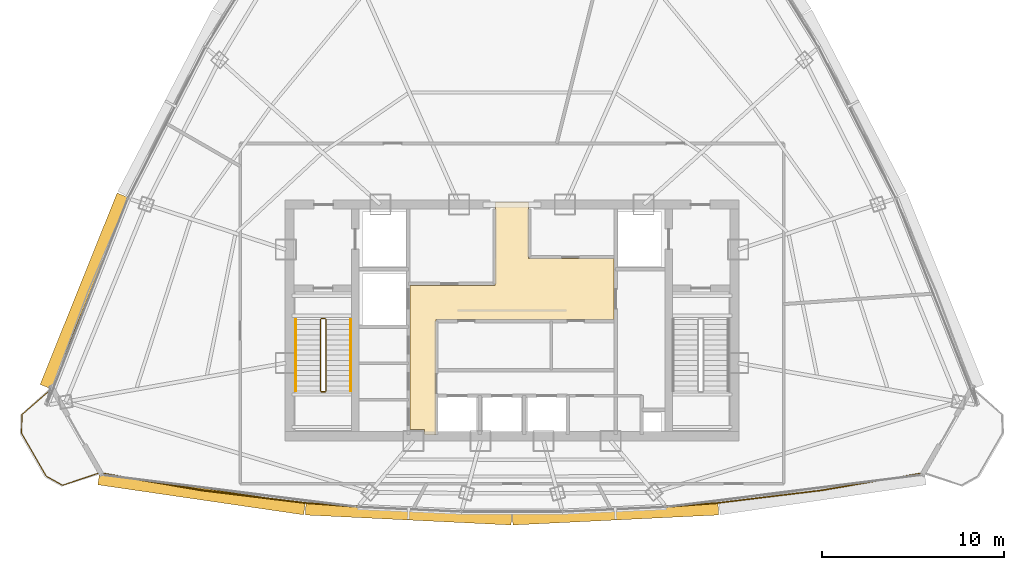
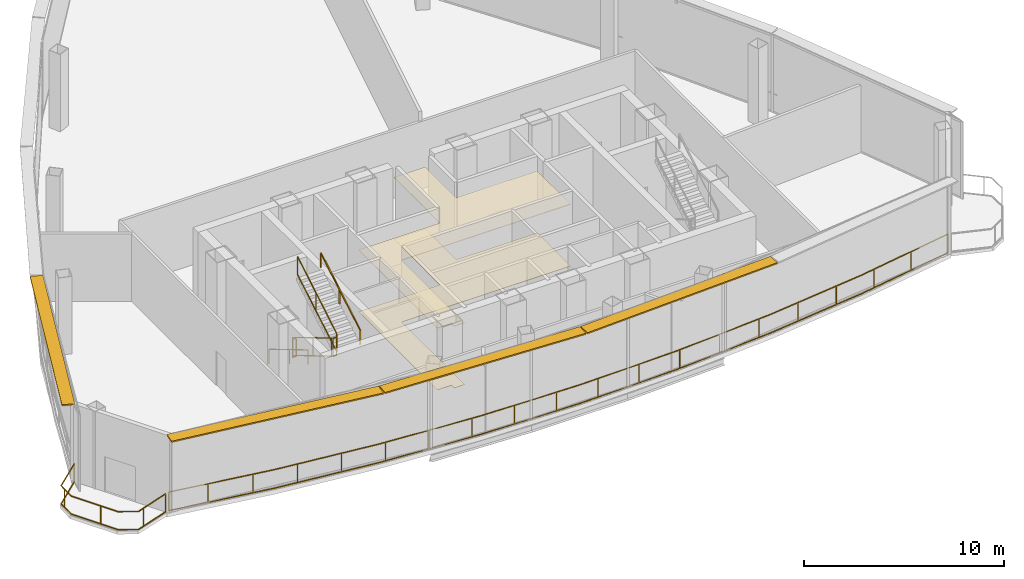
# One storey, part 26 of 29: 8 railings, 4 shading devices, 2 coverings.
"""IFC4 building model written with IfcOpenShell, lengths in metres."""

from ifc_helpers import new_model, si_unit, direction, frame, origin, origin_2d, place, context, subcontext, project, spatial, polyline, rectangle, outline, extrude, source, transform, mapped, material, layer, layer_set, type_object, element, save


model = new_model("IFC4")

# Units and contexts
model_context = context("Model", 3, precision=1e-05, world=origin(), true_north=direction((0.0, 1.0)))
body_context = subcontext(model_context, "Body", "Model", "MODEL_VIEW")
ifc_project = project(units=[si_unit("LENGTHUNIT", "METRE"), si_unit("AREAUNIT", "SQUARE_METRE"), si_unit("VOLUMEUNIT", "CUBIC_METRE"), si_unit("PLANEANGLEUNIT", "RADIAN"), si_unit("MASSUNIT", "GRAM", prefix="KILO"), si_unit("THERMODYNAMICTEMPERATUREUNIT", "KELVIN"), si_unit("POWERUNIT", "WATT")], contexts=[model_context])

# Site, building, storey
site_placement = place(None, origin())
site = spatial("IfcSite", under=ifc_project, at=site_placement, CompositionType="ELEMENT")
building_placement = place(site_placement, origin())
building = spatial("IfcBuilding", under=site, at=building_placement, Name="Yunzhuo Pagoda Commons", CompositionType="ELEMENT")
storey_placement = place(building_placement, frame((0.0, 0.0, 366.760009765625)))
storey = spatial("IfcBuildingStorey", under=building, at=storey_placement, Name="L92", CompositionType="ELEMENT", Elevation=366.760009765625)

# Coverings
ifc_material_1 = material(Name="Micro-perforated metal baffle ceiling")
ifc_layer_1 = layer(ifc_material_1, 0.034912109375)
ifc_layer_set_1 = layer_set([ifc_layer_1], Name="Micro-perforated metal baffle ceiling")
covering_type_1 = type_object("IfcCoveringType", Name="COV-CL3 Ceiling 35", PredefinedType="CEILING", material=ifc_layer_set_1)
covering_1_placement = place(storey_placement, frame((0.0, 0.0, 3.77001953125)))
element("IfcCovering", 1, at=covering_1_placement, inside=storey, type_object=covering_type_1, Name="L92 lift lobby acoustic ceiling", PredefinedType="CEILING", context=body_context, shape_type="SweptSolid", body=[
    extrude(outline(polyline([(42.39990234375, 35.75), (47.080078125, 35.75), (47.080078125, 37.25), (47.10009765625, 37.25), (47.10009765625, 40.35009765625), (48.89990234375, 40.35009765625), (48.89990234375, 37.25), (53.580078125, 37.25), (53.580078125, 33.89990234375), (43.820068359375, 33.89990234375), (43.820068359375, 27.60009765625), (43.207763671875, 27.60009765625), (43.207763671875, 27.85009765625), (43.201904296875, 27.864013671875), (43.187744140625, 27.8701171875), (42.39990234375, 27.8701171875), (42.39990234375, 33.89990234375), (42.39990234375, 35.75)])), origin(), (0.0, 0.0, 1.0), 0.034912109375),
])
ifc_material_2 = material(Name="Terrazzo stone lobby flooring", Category="masonry")
ifc_layer_2 = layer(ifc_material_2, 0.02392578125)
ifc_layer_set_2 = layer_set([ifc_layer_2], Name="Terrazzo stone lobby flooring")
covering_type_2 = type_object("IfcCoveringType", Name="COV-FL2 Flooring 24", PredefinedType="FLOORING", material=ifc_layer_set_2)
covering_2_placement = place(storey_placement, origin())
element("IfcCovering", 2, at=covering_2_placement, inside=storey, type_object=covering_type_2, Name="L92 lift lobby flooring", PredefinedType="FLOORING", context=body_context, shape_type="SweptSolid", body=[
    extrude(outline(polyline([(42.39990234375, 35.75), (47.080078125, 35.75), (47.080078125, 37.25), (47.10009765625, 37.25), (47.10009765625, 40.35009765625), (48.89990234375, 40.35009765625), (48.89990234375, 37.25), (53.580078125, 37.25), (53.580078125, 33.89990234375), (43.820068359375, 33.89990234375), (43.820068359375, 27.60009765625), (43.207763671875, 27.60009765625), (43.207763671875, 27.85009765625), (43.201904296875, 27.864013671875), (43.187744140625, 27.8701171875), (42.39990234375, 27.8701171875), (42.39990234375, 33.89990234375), (42.39990234375, 35.75)])), origin(), (0.0, 0.0, 1.0), 0.02392578125),
])

# Railings
ifc_material_3 = material(Name="Anodized aluminium 6063-T6", Category="aluminium")
railing_type_1 = type_object("IfcRailingType", Name="GR-ST1 Stair Well Guardrail 1150", PredefinedType="GUARDRAIL", material=ifc_material_3)
railing_1_placement = place(storey_placement, frame((37.5, 33.89990234375, 0.166748046875)))
element("IfcRailing", 3, at=railing_1_placement, inside=storey, type_object=railing_type_1, Name="L92 ST1 stair guard 1", PredefinedType="GUARDRAIL", context=body_context, shape_type="SweptSolid", body=[
    extrude(rectangle(XDim=0.048095703125, YDim=0.048095703125, at=origin_2d()), frame((0.0, 0.0, 1.1259765625), z_axis=(0.0, -0.859296244711, 0.511478214419), x_axis=(1.0, 0.0, 0.0)), (0.0, 0.0, 1.0), 4.561767578125),
    extrude(rectangle(XDim=0.048095703125, YDim=0.048095703125, at=origin_2d()), frame((0.0, 0.0, 0.02392578125), z_axis=(0.0, -0.859296244711, 0.511478214419), x_axis=(1.0, 0.0, 0.0)), (0.0, 0.0, 1.0), 4.561767578125),
    extrude(rectangle(XDim=0.0419921875, YDim=0.0419921875, at=origin_2d()), origin(), (0.0, 0.0, 1.0), 1.101806640625),
    extrude(rectangle(XDim=0.0419921875, YDim=0.0419921875, at=origin_2d()), frame((0.0, -2.062255859375, 1.2275390625)), (0.0, 0.0, 1.0), 1.101806640625),
    extrude(rectangle(XDim=0.0419921875, YDim=0.0419921875, at=origin_2d()), frame((0.0, -3.919921875, 2.333251953125)), (0.0, 0.0, 1.0), 1.101806640625),
])
railing_2_placement = place(storey_placement, frame((37.550048828125, 29.929931640625, 2.5)))
element("IfcRailing", 4, at=railing_2_placement, inside=storey, type_object=railing_type_1, Name="L92 ST1 stair guard 2", PredefinedType="GUARDRAIL", context=body_context, shape_type="SweptSolid", body=[
    extrude(rectangle(XDim=0.048095703125, YDim=0.048095703125, at=origin_2d()), frame((0.0, 0.0, 1.1259765625), z_axis=(1.0, 0.0, 0.0), x_axis=(0.0, 1.0, 0.0)), (0.0, 0.0, 1.0), 0.199951171875),
    extrude(rectangle(XDim=0.048095703125, YDim=0.048095703125, at=origin_2d()), frame((0.0, 0.0, 0.02392578125), z_axis=(1.0, 0.0, 0.0), x_axis=(0.0, 1.0, 0.0)), (0.0, 0.0, 1.0), 0.199951171875),
    extrude(rectangle(XDim=0.0419921875, YDim=0.0419921875, at=origin_2d()), origin(), (0.0, 0.0, 1.0), 1.101806640625),
    extrude(rectangle(XDim=0.0419921875, YDim=0.0419921875, at=origin_2d()), frame((0.199951171875, 0.0, 0.0)), (0.0, 0.0, 1.0), 1.101806640625),
])
railing_3_placement = place(storey_placement, frame((37.800048828125, 29.97998046875, 2.666748046875)))
element("IfcRailing", 5, at=railing_3_placement, inside=storey, type_object=railing_type_1, Name="L92 ST1 stair guard 3", PredefinedType="GUARDRAIL", context=body_context, shape_type="SweptSolid", body=[
    extrude(rectangle(XDim=0.048095703125, YDim=0.048095703125, at=origin_2d()), frame((0.0, 0.0, 1.1259765625), z_axis=(0.0, 0.859296244711, 0.511478214419), x_axis=(-1.0, 0.0, 0.0)), (0.0, 0.0, 1.0), 4.561767578125),
    extrude(rectangle(XDim=0.048095703125, YDim=0.048095703125, at=origin_2d()), frame((0.0, 0.0, 0.02392578125), z_axis=(0.0, 0.859296244711, 0.511478214419), x_axis=(-1.0, 0.0, 0.0)), (0.0, 0.0, 1.0), 4.561767578125),
    extrude(rectangle(XDim=0.0419921875, YDim=0.0419921875, at=origin_2d()), origin(), (0.0, 0.0, 1.0), 1.101806640625),
    extrude(rectangle(XDim=0.0419921875, YDim=0.0419921875, at=origin_2d()), frame((0.0, 2.062255859375, 1.2275390625)), (0.0, 0.0, 1.0), 1.101806640625),
    extrude(rectangle(XDim=0.0419921875, YDim=0.0419921875, at=origin_2d()), frame((0.0, 3.919921875, 2.333251953125)), (0.0, 0.0, 1.0), 1.101806640625),
])
railing_4_placement = place(storey_placement, frame((37.550048828125, 33.949951171875, 0.0)))
element("IfcRailing", 6, at=railing_4_placement, inside=storey, type_object=railing_type_1, Name="L92 ST1 stair guard 4", PredefinedType="GUARDRAIL", context=body_context, shape_type="SweptSolid", body=[
    extrude(rectangle(XDim=0.048095703125, YDim=0.048095703125, at=origin_2d()), frame((0.0, 0.0, 1.1259765625), z_axis=(1.0, 0.0, 0.0), x_axis=(0.0, 1.0, 0.0)), (0.0, 0.0, 1.0), 0.199951171875),
    extrude(rectangle(XDim=0.048095703125, YDim=0.048095703125, at=origin_2d()), frame((0.0, 0.0, 0.02392578125), z_axis=(1.0, 0.0, 0.0), x_axis=(0.0, 1.0, 0.0)), (0.0, 0.0, 1.0), 0.199951171875),
    extrude(rectangle(XDim=0.0419921875, YDim=0.0419921875, at=origin_2d()), origin(), (0.0, 0.0, 1.0), 1.101806640625),
    extrude(rectangle(XDim=0.0419921875, YDim=0.0419921875, at=origin_2d()), frame((0.199951171875, 0.0, 0.0)), (0.0, 0.0, 1.0), 1.101806640625),
])
railing_type_2 = type_object("IfcRailingType", Name="HR-ST1 Stair Handrail 900", PredefinedType="HANDRAIL", material=ifc_material_3)
railing_5_placement = place(storey_placement, frame((36.14990234375, 33.89990234375, 0.166748046875)))
element("IfcRailing", 7, at=railing_5_placement, inside=storey, type_object=railing_type_2, Name="L92 ST1 stair handrail 1", PredefinedType="HANDRAIL", context=body_context, shape_type="SweptSolid", body=[
    extrude(rectangle(XDim=0.048095703125, YDim=0.048095703125, at=origin_2d()), frame((0.0, 0.0, 0.8759765625), z_axis=(0.0, -0.859296244711, 0.511478214419), x_axis=(1.0, 0.0, 0.0)), (0.0, 0.0, 1.0), 4.561767578125),
    extrude(rectangle(XDim=0.0419921875, YDim=0.0419921875, at=origin_2d()), origin(), (0.0, 0.0, 1.0), 0.851806640625),
    extrude(rectangle(XDim=0.0419921875, YDim=0.0419921875, at=origin_2d()), frame((0.0, -2.062255859375, 1.2275390625)), (0.0, 0.0, 1.0), 0.851806640625),
    extrude(rectangle(XDim=0.0419921875, YDim=0.0419921875, at=origin_2d()), frame((0.0, -3.919921875, 2.333251953125)), (0.0, 0.0, 1.0), 0.851806640625),
])
railing_6_placement = place(storey_placement, frame((39.14990234375, 29.97998046875, 2.666748046875)))
element("IfcRailing", 8, at=railing_6_placement, inside=storey, type_object=railing_type_2, Name="L92 ST1 stair handrail 2", PredefinedType="HANDRAIL", context=body_context, shape_type="SweptSolid", body=[
    extrude(rectangle(XDim=0.048095703125, YDim=0.048095703125, at=origin_2d()), frame((0.0, 0.0, 0.8759765625), z_axis=(0.0, 0.859296244711, 0.511478214419), x_axis=(-1.0, 0.0, 0.0)), (0.0, 0.0, 1.0), 4.561767578125),
    extrude(rectangle(XDim=0.0419921875, YDim=0.0419921875, at=origin_2d()), origin(), (0.0, 0.0, 1.0), 0.851806640625),
    extrude(rectangle(XDim=0.0419921875, YDim=0.0419921875, at=origin_2d()), frame((0.0, 2.062255859375, 1.2275390625)), (0.0, 0.0, 1.0), 0.851806640625),
    extrude(rectangle(XDim=0.0419921875, YDim=0.0419921875, at=origin_2d()), frame((0.0, 3.919921875, 2.333251953125)), (0.0, 0.0, 1.0), 0.851806640625),
])
railing_type_3 = type_object("IfcRailingType", Name="RL-BAL1 Exterior Terrace & Balcony Balustrade 1150", PredefinedType="BALUSTRADE", material=ifc_material_3)
railing_7_placement = place(storey_placement, frame((22.688720703125, 30.03955078125, 0.0)))
element("IfcRailing", 9, at=railing_7_placement, inside=storey, type_object=railing_type_3, Name="L92 corner balcony balustrade V1", PredefinedType="BALUSTRADE", context=body_context, shape_type="SweptSolid", body=[
    extrude(rectangle(XDim=0.048095703125, YDim=0.048095703125, at=origin_2d()), frame((0.0, 0.0, 1.1259765625), z_axis=(-0.753984993137, -0.656891642605, 0.0), x_axis=(0.656891642605, -0.753984993137, 0.0)), (0.0, 0.0, 1.0), 2.059326171875),
    extrude(rectangle(XDim=0.048095703125, YDim=0.048095703125, at=origin_2d()), frame((0.0, 0.0, 0.02392578125), z_axis=(-0.753984993137, -0.656891642605, 0.0), x_axis=(0.656891642605, -0.753984993137, 0.0)), (0.0, 0.0, 1.0), 2.059326171875),
    extrude(rectangle(XDim=0.048095703125, YDim=0.048095703125, at=origin_2d()), frame((-1.552734375, -1.352783203125, 1.1259765625), z_axis=(-0.021661582808, -0.999765360387, 0.0), x_axis=(0.999765360387, -0.021661582808, 0.0)), (0.0, 0.0, 1.0), 1.025634765625),
    extrude(rectangle(XDim=0.048095703125, YDim=0.048095703125, at=origin_2d()), frame((-1.552734375, -1.352783203125, 0.02392578125), z_axis=(-0.021661582808, -0.999765360387, 0.0), x_axis=(0.999765360387, -0.021661582808, 0.0)), (0.0, 0.0, 1.0), 1.025634765625),
    extrude(rectangle(XDim=0.048095703125, YDim=0.048095703125, at=origin_2d()), frame((-1.574951171875, -2.378173828125, 1.1259765625), z_axis=(0.49795765494, -0.867201345644, 0.0), x_axis=(0.867201345644, 0.49795765494, 0.0)), (0.0, 0.0, 1.0), 2.716064453125),
    extrude(rectangle(XDim=0.048095703125, YDim=0.048095703125, at=origin_2d()), frame((-1.574951171875, -2.378173828125, 0.02392578125), z_axis=(0.49795765494, -0.867201345644, 0.0), x_axis=(0.867201345644, 0.49795765494, 0.0)), (0.0, 0.0, 1.0), 2.716064453125),
    extrude(rectangle(XDim=0.048095703125, YDim=0.048095703125, at=origin_2d()), frame((-0.222412109375, -4.733642578125, 1.1259765625), z_axis=(0.874415431357, -0.485177960551, 0.0), x_axis=(0.485177960551, 0.874415431357, 0.0)), (0.0, 0.0, 1.0), 1.025634765625),
    extrude(rectangle(XDim=0.048095703125, YDim=0.048095703125, at=origin_2d()), frame((-0.222412109375, -4.733642578125, 0.02392578125), z_axis=(0.874415431357, -0.485177960551, 0.0), x_axis=(0.485177960551, 0.874415431357, 0.0)), (0.0, 0.0, 1.0), 1.025634765625),
    extrude(rectangle(XDim=0.048095703125, YDim=0.048095703125, at=origin_2d()), frame((0.67431640625, -5.231201171875, 1.1259765625), z_axis=(0.947419062147, 0.319995501031, 0.0), x_axis=(-0.319995501031, 0.947419062147, 0.0)), (0.0, 0.0, 1.0), 2.05908203125),
    extrude(rectangle(XDim=0.048095703125, YDim=0.048095703125, at=origin_2d()), frame((0.67431640625, -5.231201171875, 0.02392578125), z_axis=(0.947419062147, 0.319995501031, 0.0), x_axis=(-0.319995501031, 0.947419062147, 0.0)), (0.0, 0.0, 1.0), 2.05908203125),
    extrude(rectangle(XDim=0.0419921875, YDim=0.0419921875, at=origin_2d()), origin(), (0.0, 0.0, 1.0), 1.101806640625),
    extrude(rectangle(XDim=0.0419921875, YDim=0.0419921875, at=origin_2d()), frame((-1.56005859375, -1.693359375, 0.0)), (0.0, 0.0, 1.0), 1.101806640625),
    extrude(rectangle(XDim=0.0419921875, YDim=0.0419921875, at=origin_2d()), frame((-0.720947265625, -3.865478515625, 0.0)), (0.0, 0.0, 1.0), 1.101806640625),
    extrude(rectangle(XDim=0.0419921875, YDim=0.0419921875, at=origin_2d()), frame((1.028076171875, -5.11181640625, 0.0)), (0.0, 0.0, 1.0), 1.101806640625),
    extrude(rectangle(XDim=0.0419921875, YDim=0.0419921875, at=origin_2d()), frame((2.625244140625, -4.572265625, 0.0)), (0.0, 0.0, 1.0), 1.101806640625),
])
railing_type_4 = type_object("IfcRailingType", Name="RL-SIL1 Curtain-Wall Sill Safety Guardrail 1180", PredefinedType="GUARDRAIL", material=ifc_material_3)
railing_8_placement = place(storey_placement, frame((70.510009765625, 25.476318359375, 0.0)))
element("IfcRailing", 10, at=railing_8_placement, inside=storey, type_object=railing_type_4, Name="L92 curtain-wall sill safety rail 2", PredefinedType="GUARDRAIL", context=body_context, shape_type="SweptSolid", body=[
    extrude(rectangle(XDim=0.048095703125, YDim=0.048095703125, at=origin_2d()), frame((0.0, 0.0, 1.15576171875), z_axis=(-0.985801744032, -0.167913434432, 0.0), x_axis=(0.167913434432, -0.985801744032, 0.0)), (0.0, 0.0, 1.0), 5.61962890625),
    extrude(rectangle(XDim=0.048095703125, YDim=0.048095703125, at=origin_2d()), frame((0.0, 0.0, 0.02392578125), z_axis=(-0.985801744032, -0.167913434432, 0.0), x_axis=(0.167913434432, -0.985801744032, 0.0)), (0.0, 0.0, 1.0), 5.61962890625),
    extrude(rectangle(XDim=0.048095703125, YDim=0.048095703125, at=origin_2d()), frame((-5.539794921875, -0.943603515625, 1.15576171875), z_axis=(-0.992679866882, -0.120775336415, 0.0), x_axis=(0.120775336415, -0.992679866882, 0.0)), (0.0, 0.0, 1.0), 5.698486328125),
    extrude(rectangle(XDim=0.048095703125, YDim=0.048095703125, at=origin_2d()), frame((-5.539794921875, -0.943603515625, 0.02392578125), z_axis=(-0.992679866882, -0.120775336415, 0.0), x_axis=(0.120775336415, -0.992679866882, 0.0)), (0.0, 0.0, 1.0), 5.698486328125),
    extrude(rectangle(XDim=0.048095703125, YDim=0.048095703125, at=origin_2d()), frame((-11.196533203125, -1.6318359375, 1.15576171875), z_axis=(-0.997347611659, -0.072785585918, 0.0), x_axis=(0.072785585918, -0.997347611659, 0.0)), (0.0, 0.0, 1.0), 5.672119140625),
    extrude(rectangle(XDim=0.048095703125, YDim=0.048095703125, at=origin_2d()), frame((-11.196533203125, -1.6318359375, 0.02392578125), z_axis=(-0.997347611659, -0.072785585918, 0.0), x_axis=(0.072785585918, -0.997347611659, 0.0)), (0.0, 0.0, 1.0), 5.672119140625),
    extrude(rectangle(XDim=0.048095703125, YDim=0.048095703125, at=origin_2d()), frame((-16.853515625, -2.044677734375, 1.15576171875), z_axis=(-0.999703843907, -0.024335662651, 0.0), x_axis=(0.024335662651, -0.999703843907, 0.0)), (0.0, 0.0, 1.0), 5.658203125),
    extrude(rectangle(XDim=0.048095703125, YDim=0.048095703125, at=origin_2d()), frame((-16.853515625, -2.044677734375, 0.02392578125), z_axis=(-0.999703843907, -0.024335662651, 0.0), x_axis=(0.024335662651, -0.999703843907, 0.0)), (0.0, 0.0, 1.0), 5.658203125),
    extrude(rectangle(XDim=0.048095703125, YDim=0.048095703125, at=origin_2d()), frame((-22.510009765625, -2.182373046875, 1.15576171875), z_axis=(-0.999703869459, 0.024334612964, 0.0), x_axis=(-0.024334612964, -0.999703869459, 0.0)), (0.0, 0.0, 1.0), 5.658447265625),
    extrude(rectangle(XDim=0.048095703125, YDim=0.048095703125, at=origin_2d()), frame((-22.510009765625, -2.182373046875, 0.02392578125), z_axis=(-0.999703869459, 0.024334612964, 0.0), x_axis=(-0.024334612964, -0.999703869459, 0.0)), (0.0, 0.0, 1.0), 5.658447265625),
    extrude(rectangle(XDim=0.048095703125, YDim=0.048095703125, at=origin_2d()), frame((-28.166748046875, -2.044677734375, 1.15576171875), z_axis=(-0.997347383614, 0.072788710647, 0.0), x_axis=(-0.072788710647, -0.997347383614, 0.0)), (0.0, 0.0, 1.0), 5.671875),
    extrude(rectangle(XDim=0.048095703125, YDim=0.048095703125, at=origin_2d()), frame((-28.166748046875, -2.044677734375, 0.02392578125), z_axis=(-0.997347383614, 0.072788710647, 0.0), x_axis=(-0.072788710647, -0.997347383614, 0.0)), (0.0, 0.0, 1.0), 5.671875),
    extrude(rectangle(XDim=0.048095703125, YDim=0.048095703125, at=origin_2d()), frame((-33.823486328125, -1.6318359375, 1.15576171875), z_axis=(-0.992679866882, 0.120775336415, 0.0), x_axis=(-0.120775336415, -0.992679866882, 0.0)), (0.0, 0.0, 1.0), 5.698486328125),
    extrude(rectangle(XDim=0.048095703125, YDim=0.048095703125, at=origin_2d()), frame((-33.823486328125, -1.6318359375, 0.02392578125), z_axis=(-0.992679866882, 0.120775336415, 0.0), x_axis=(-0.120775336415, -0.992679866882, 0.0)), (0.0, 0.0, 1.0), 5.698486328125),
    extrude(rectangle(XDim=0.048095703125, YDim=0.048095703125, at=origin_2d()), frame((-39.480224609375, -0.943603515625, 1.15576171875), z_axis=(-0.985801744032, 0.167913434432, 0.0), x_axis=(-0.167913434432, -0.985801744032, 0.0)), (0.0, 0.0, 1.0), 5.61962890625),
    extrude(rectangle(XDim=0.048095703125, YDim=0.048095703125, at=origin_2d()), frame((-39.480224609375, -0.943603515625, 0.02392578125), z_axis=(-0.985801744032, 0.167913434432, 0.0), x_axis=(-0.167913434432, -0.985801744032, 0.0)), (0.0, 0.0, 1.0), 5.61962890625),
    extrude(rectangle(XDim=0.0419921875, YDim=0.0419921875, at=origin_2d()), origin(), (0.0, 0.0, 1.0), 1.1318359375),
    extrude(rectangle(XDim=0.0419921875, YDim=0.0419921875, at=origin_2d()), frame((-2.365966796875, -0.403076171875, 0.0)), (0.0, 0.0, 1.0), 1.1318359375),
    extrude(rectangle(XDim=0.0419921875, YDim=0.0419921875, at=origin_2d()), frame((-4.73193359375, -0.805908203125, 0.0)), (0.0, 0.0, 1.0), 1.1318359375),
    extrude(rectangle(XDim=0.0419921875, YDim=0.0419921875, at=origin_2d()), frame((-7.108642578125, -1.134521484375, 0.0)), (0.0, 0.0, 1.0), 1.1318359375),
    extrude(rectangle(XDim=0.0419921875, YDim=0.0419921875, at=origin_2d()), frame((-9.490966796875, -1.42431640625, 0.0)), (0.0, 0.0, 1.0), 1.1318359375),
    extrude(rectangle(XDim=0.0419921875, YDim=0.0419921875, at=origin_2d()), frame((-11.876708984375, -1.681396484375, 0.0)), (0.0, 0.0, 1.0), 1.1318359375),
    extrude(rectangle(XDim=0.0419921875, YDim=0.0419921875, at=origin_2d()), frame((-14.270263671875, -1.856201171875, 0.0)), (0.0, 0.0, 1.0), 1.1318359375),
    extrude(rectangle(XDim=0.0419921875, YDim=0.0419921875, at=origin_2d()), frame((-16.6640625, -2.03076171875, 0.0)), (0.0, 0.0, 1.0), 1.1318359375),
    extrude(rectangle(XDim=0.0419921875, YDim=0.0419921875, at=origin_2d()), frame((-19.062744140625, -2.098388671875, 0.0)), (0.0, 0.0, 1.0), 1.1318359375),
    extrude(rectangle(XDim=0.0419921875, YDim=0.0419921875, at=origin_2d()), frame((-21.462158203125, -2.156982421875, 0.0)), (0.0, 0.0, 1.0), 1.1318359375),
    extrude(rectangle(XDim=0.0419921875, YDim=0.0419921875, at=origin_2d()), frame((-23.861328125, -2.1494140625, 0.0)), (0.0, 0.0, 1.0), 1.1318359375),
    extrude(rectangle(XDim=0.0419921875, YDim=0.0419921875, at=origin_2d()), frame((-26.2607421875, -2.091064453125, 0.0)), (0.0, 0.0, 1.0), 1.1318359375),
    extrude(rectangle(XDim=0.0419921875, YDim=0.0419921875, at=origin_2d()), frame((-28.65869140625, -2.0087890625, 0.0)), (0.0, 0.0, 1.0), 1.1318359375),
    extrude(rectangle(XDim=0.0419921875, YDim=0.0419921875, at=origin_2d()), frame((-31.052490234375, -1.833984375, 0.0)), (0.0, 0.0, 1.0), 1.1318359375),
    extrude(rectangle(XDim=0.0419921875, YDim=0.0419921875, at=origin_2d()), frame((-33.446044921875, -1.659423828125, 0.0)), (0.0, 0.0, 1.0), 1.1318359375),
    extrude(rectangle(XDim=0.0419921875, YDim=0.0419921875, at=origin_2d()), frame((-35.830322265625, -1.3876953125, 0.0)), (0.0, 0.0, 1.0), 1.1318359375),
    extrude(rectangle(XDim=0.0419921875, YDim=0.0419921875, at=origin_2d()), frame((-38.212646484375, -1.097900390625, 0.0)), (0.0, 0.0, 1.0), 1.1318359375),
    extrude(rectangle(XDim=0.0419921875, YDim=0.0419921875, at=origin_2d()), frame((-40.58740234375, -0.755126953125, 0.0)), (0.0, 0.0, 1.0), 1.1318359375),
    extrude(rectangle(XDim=0.0419921875, YDim=0.0419921875, at=origin_2d()), frame((-42.953369140625, -0.35205078125, 0.0)), (0.0, 0.0, 1.0), 1.1318359375),
    extrude(rectangle(XDim=0.0419921875, YDim=0.0419921875, at=origin_2d()), frame((-45.02001953125, 0.0, 0.0)), (0.0, 0.0, 1.0), 1.1318359375),
])

# Shading devices
ifc_layer_3 = layer(ifc_material_3, 0.080078125)
ifc_layer_set_3 = layer_set([ifc_layer_3], Name="Anodized aluminium 6063-T6")
shading_device_type = type_object("IfcShadingDeviceType", Name="SH-SUN1 Pagoda Horizontal Sunshade Eave 650", PredefinedType="USERDEFINED", material=ifc_layer_set_3)
shared_shape_1 = source(origin(), body_context, "Body", "SweptSolid", [
    extrude(rectangle(XDim=11.403076171875, YDim=0.64990234375, at=origin_2d()), origin(), (0.0, 0.0, 1.0), 0.080078125),
])
shading_device_1_placement = place(storey_placement, frame((30.980712890625, 24.333984375, 4.639892578125), z_axis=(0.0, 0.0, 1.0), x_axis=(0.989510666697, -0.144459823108, 0.0)))
element("IfcShadingDevice", 11, at=shading_device_1_placement, inside=storey, type_object=shading_device_type, Name="L92 horizontal pagoda sunshade eave F1.1", ObjectType="SUNSHADE", PredefinedType="USERDEFINED", context=body_context, shape_type="MappedRepresentation", body=[
    mapped(shared_shape_1, transform((0.0, 0.0, 0.0), scale=1.0)),
])
shared_shape_2 = source(origin(), body_context, "Body", "SweptSolid", [
    extrude(rectangle(XDim=11.29638671875, YDim=0.64990234375, at=origin_2d()), origin(), (0.0, 0.0, 1.0), 0.080078125),
])
for number, where, z_axis, x_axis, name in (
    (12, (42.326904296875, 23.229736328125, 4.639892578125), (0.0, 0.0, 1.0), (0.998818043775, -0.04860571396, 0.0), "L92 horizontal pagoda sunshade eave F1.2"),
    (13, (53.673095703125, 23.229736328125, 4.639892578125), (0.0, 0.0, 1.0), (0.998818043775, 0.04860571396, 0.0), "L92 horizontal pagoda sunshade eave F1.3"),
):
    element("IfcShadingDevice", number, at=place(storey_placement, frame(where, z_axis=z_axis, x_axis=x_axis)), inside=storey, type_object=shading_device_type, Name=name, ObjectType="SUNSHADE", PredefinedType="USERDEFINED", context=body_context, shape_type="MappedRepresentation", body=[
        mapped(shared_shape_2, transform((0.0, 0.0, 0.0), scale=1.0)),
    ])
shared_shape_3 = source(origin(), body_context, "Body", "SweptSolid", [
    extrude(rectangle(XDim=11.311279296875, YDim=0.64990234375, at=origin_2d()), origin(), (0.0, 0.0, 1.0), 0.080078125),
])
shading_device_2_placement = place(storey_placement, frame((24.543212890625, 35.464599609375, 4.639892578125), z_axis=(0.0, 0.0, 1.0), x_axis=(-0.372987782576, -0.927836253899, 0.0)))
element("IfcShadingDevice", 14, at=shading_device_2_placement, inside=storey, type_object=shading_device_type, Name="L92 horizontal pagoda sunshade eave F3.4", ObjectType="SUNSHADE", PredefinedType="USERDEFINED", context=body_context, shape_type="MappedRepresentation", body=[
    mapped(shared_shape_3, transform((0.0, 0.0, 0.0), scale=1.0)),
])

save(model, "model.ifc")
